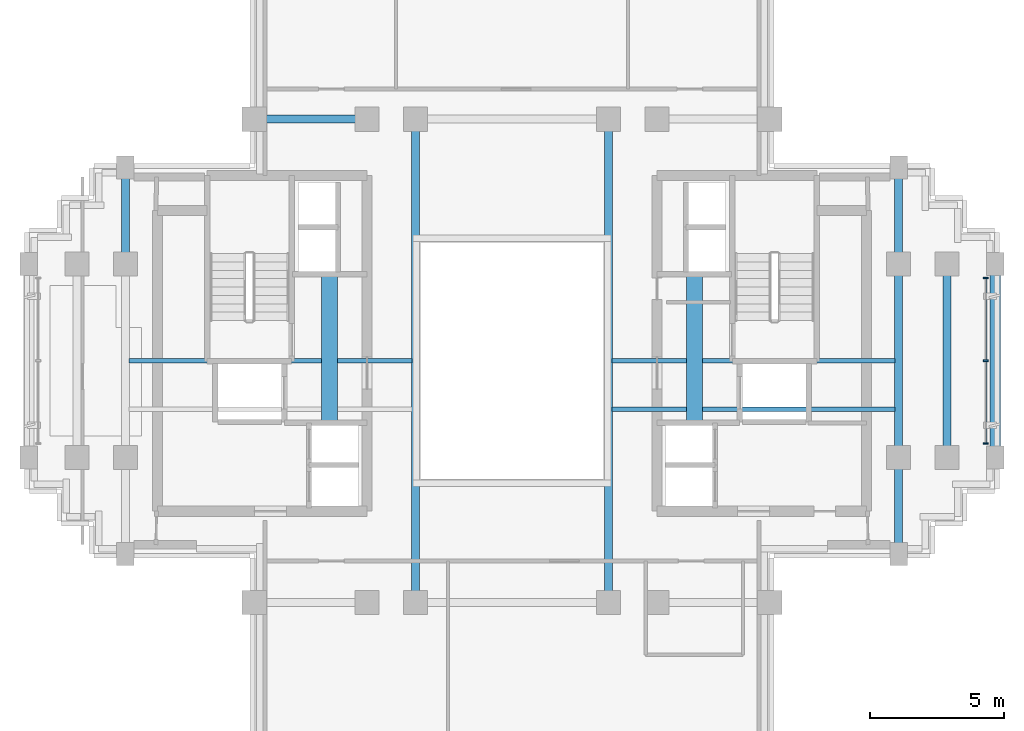
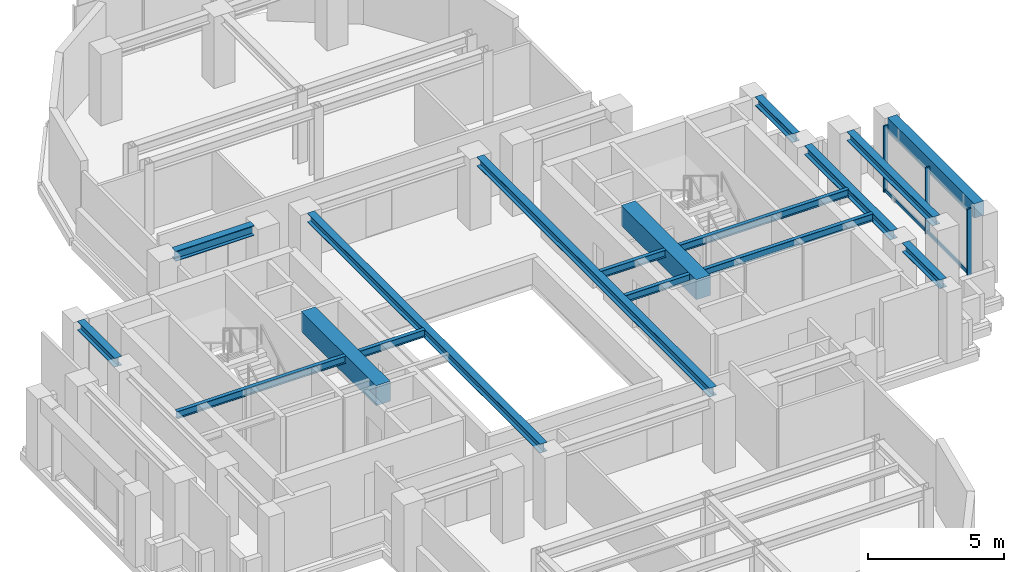
# One storey, part 3 of 11: 14 beams, 5 members, 1 element without a shape of its own.
"""IFC4 building model written with IfcOpenShell, lengths in metres."""

from ifc_helpers import new_model, si_unit, direction, frame, origin, origin_2d, place, context, subcontext, project, spatial, rectangle, i_section, extrude, source, transform, mapped, material, material_profile, profile_set, type_object, element, aggregate, save


model = new_model("IFC4")

# Units and contexts
model_context = context("Model", 3, precision=1e-05, world=origin(), true_north=direction((0.0, 1.0)))
body_context = subcontext(model_context, "Body", "Model", "MODEL_VIEW")
ifc_project = project(units=[si_unit("LENGTHUNIT", "METRE"), si_unit("AREAUNIT", "SQUARE_METRE"), si_unit("VOLUMEUNIT", "CUBIC_METRE"), si_unit("PLANEANGLEUNIT", "RADIAN"), si_unit("MASSUNIT", "GRAM", prefix="KILO")], contexts=[model_context])

# Site, building, storey
site_placement = place(None, origin())
site = spatial("IfcSite", under=ifc_project, at=site_placement, CompositionType="ELEMENT")
building_placement = place(site_placement, origin())
building = spatial("IfcBuilding", under=site, at=building_placement, Name="Keilestroom Media Tower", CompositionType="ELEMENT")
storey_placement = place(building_placement, frame((0.0, 0.0, 170.60009765625)))
storey = spatial("IfcBuildingStorey", under=building, at=storey_placement, Name="L46", CompositionType="ELEMENT", Elevation=170.60009765625)

# Beams
ifc_material_1 = material(Name="Concrete C70/85", Category="concrete")
ifc_material_profile_1 = material_profile(ifc_material_1, rectangle(XDim=0.60009765625, YDim=0.89990234375, at=origin_2d()), Name="RC 600x900")
ifc_profile_set_1 = profile_set([ifc_material_profile_1], Name="Concrete C70/85")
beam_type_1 = type_object("IfcBeamType", Name="Core-Coupling-Lintel-Beam-RC-600x900", PredefinedType="LINTEL", material=ifc_profile_set_1)
shared_shape_1 = source(origin(), body_context, "Body", "SweptSolid", [
    extrude(rectangle(XDim=0.60009765625, YDim=0.89990234375, at=origin_2d()), origin(), (0.0, 0.0, 1.0), 5.52001953125),
])
for number, where, z_axis, x_axis, name in (
    (1, (-6.800048828125, -2.300048828125, 2.75), (0.0, 1.0, 0.0), (-1.0, 0.0, 0.0), "L46 Beam CLB-1 CLB-L46-W"),
    (2, (6.800048828125, -2.300048828125, 2.75), (0.0, 1.0, 0.0), (-1.0, 0.0, 0.0), "L46 Beam CLB-1 CLB-L46-E"),
):
    element("IfcBeam", number, at=place(storey_placement, frame(where, z_axis=z_axis, x_axis=x_axis)), inside=storey, type_object=beam_type_1, Name=name, PredefinedType="LINTEL", context=body_context, shape_type="MappedRepresentation", body=[
        mapped(shared_shape_1, transform((0.0, 0.0, 0.0), x_axis=(1.0, 0.0, 0.0), y_axis=(0.0, 1.0, 0.0), z_axis=(0.0, 0.0, 1.0), scale=1.0)),
    ])
ifc_material_2 = material(Name="Steel S355", Category="steel")
ifc_material_profile_2 = material_profile(ifc_material_2, i_section(OverallWidth=0.300048828125, OverallDepth=0.449951171875, WebThickness=0.011962890625, FlangeThickness=0.02587890625, at=origin_2d()), Name="HEB 450")
ifc_profile_set_2 = profile_set([ifc_material_profile_2], Name="Steel S355")
beam_type_2 = type_object("IfcBeamType", Name="Primary-Structural-Girder-HEB-450", PredefinedType="BEAM", material=ifc_profile_set_2)
shared_shape_2 = source(origin(), body_context, "Body", "SweptSolid", [
    extrude(i_section(OverallWidth=0.300048828125, OverallDepth=0.449951171875, WebThickness=0.011962890625, FlangeThickness=0.02587890625, at=origin_2d()), origin(), (0.0, 0.0, 1.0), 3.33984375),
])
beam_1_placement = place(storey_placement, frame((-9.169921875, 9.0, 2.974853515625), z_axis=(1.0, 0.0, 0.0), x_axis=(0.0, 1.0, 0.0)))
element("IfcBeam", 3, at=beam_1_placement, inside=storey, type_object=beam_type_2, Name="L46 Beam BG-7 BM-L46-EW-020", PredefinedType="BEAM", context=body_context, shape_type="MappedRepresentation", body=[
    mapped(shared_shape_2, transform((0.0, 0.0, 0.0), x_axis=(1.0, 0.0, 0.0), y_axis=(0.0, 1.0, 0.0), z_axis=(0.0, 0.0, 1.0), scale=1.0)),
])
ifc_material_3 = material(Name="Precast concrete C40/50", Category="concrete")
ifc_material_profile_3 = material_profile(ifc_material_3, rectangle(XDim=0.39990234375, YDim=0.64990234375, at=origin_2d()), Name="PC 400x650")
ifc_profile_set_3 = profile_set([ifc_material_profile_3], Name="Precast concrete C40/50")
beam_type_3 = type_object("IfcBeamType", Name="Perimeter-Spandrel-Beam-PC-400x650", PredefinedType="SPANDREL", material=ifc_profile_set_3)
shared_shape_3 = source(origin(), body_context, "Body", "SweptSolid", [
    extrude(rectangle(XDim=0.39990234375, YDim=0.64990234375, at=origin_2d()), origin(), (0.0, 0.0, 1.0), 6.39013671875),
])
beam_2_placement = place(storey_placement, frame((18.0, -3.195068359375, 2.875), z_axis=(0.0, 1.0, 0.0), x_axis=(-1.0, 0.0, 0.0)))
element("IfcBeam", 4, at=beam_2_placement, inside=storey, type_object=beam_type_3, Name="L46 Beam SPB-2 BM-L46-NS-054", PredefinedType="SPANDREL", context=body_context, shape_type="MappedRepresentation", body=[
    mapped(shared_shape_3, transform((0.0, 0.0, 0.0), x_axis=(1.0, 0.0, 0.0), y_axis=(0.0, 1.0, 0.0), z_axis=(0.0, 0.0, 1.0), scale=1.0)),
])
ifc_material_profile_4 = material_profile(ifc_material_2, i_section(OverallWidth=0.300048828125, OverallDepth=0.39990234375, WebThickness=0.011474609375, FlangeThickness=0.02392578125, at=origin_2d()), Name="HEB 400")
ifc_profile_set_4 = profile_set([ifc_material_profile_4], Name="Steel S355")
beam_type_4 = type_object("IfcBeamType", Name="Primary-Structural-Girder-HEB-400", PredefinedType="BEAM", material=ifc_profile_set_4)
shared_shape_4 = source(origin(), body_context, "Body", "SweptSolid", [
    extrude(i_section(OverallWidth=0.300048828125, OverallDepth=0.39990234375, WebThickness=0.011474609375, FlangeThickness=0.02392578125, at=origin_2d()), origin(), (0.0, 0.0, 1.0), 6.33984375),
])
for number, where, z_axis, x_axis, name in (
    (5, (14.39990234375, -3.169921875, 3.0), (0.0, 1.0, 0.0), (-1.0, 0.0, 0.0), "L46 Beam BG-8 BM-L46-NS-051"),
    (6, (16.199951171875, -3.169921875, 3.0), (0.0, 1.0, 0.0), (-1.0, 0.0, 0.0), "L46 Beam BG-8 BM-L46-NS-053"),
):
    element("IfcBeam", number, at=place(storey_placement, frame(where, z_axis=z_axis, x_axis=x_axis)), inside=storey, type_object=beam_type_4, Name=name, PredefinedType="BEAM", context=body_context, shape_type="MappedRepresentation", body=[
        mapped(shared_shape_4, transform((0.0, 0.0, 0.0), x_axis=(1.0, 0.0, 0.0), y_axis=(0.0, 1.0, 0.0), z_axis=(0.0, 0.0, 1.0), scale=1.0)),
    ])
shared_shape_5 = source(origin(), body_context, "Body", "SweptSolid", [
    extrude(i_section(OverallWidth=0.300048828125, OverallDepth=0.39990234375, WebThickness=0.011474609375, FlangeThickness=0.02392578125, at=origin_2d()), origin(), (0.0, 0.0, 1.0), 2.764892578125),
])
for number, where, z_axis, x_axis, name in (
    (7, (-14.39990234375, 4.030029296875, 3.0), (0.0, 1.0, 0.0), (-1.0, 0.0, 0.0), "L46 Beam BG-8 BM-L46-NS-035"),
    (8, (14.39990234375, -6.794921875, 3.0), (0.0, 1.0, 0.0), (-1.0, 0.0, 0.0), "L46 Beam BG-8 BM-L46-NS-050"),
    (9, (14.39990234375, 4.030029296875, 3.0), (0.0, 1.0, 0.0), (-1.0, 0.0, 0.0), "L46 Beam BG-8 BM-L46-NS-052"),
):
    element("IfcBeam", number, at=place(storey_placement, frame(where, z_axis=z_axis, x_axis=x_axis)), inside=storey, type_object=beam_type_4, Name=name, PredefinedType="BEAM", context=body_context, shape_type="MappedRepresentation", body=[
        mapped(shared_shape_5, transform((0.0, 0.0, 0.0), x_axis=(1.0, 0.0, 0.0), y_axis=(0.0, 1.0, 0.0), z_axis=(0.0, 0.0, 1.0), scale=1.0)),
    ])
shared_shape_6 = source(origin(), body_context, "Body", "SweptSolid", [
    extrude(i_section(OverallWidth=0.300048828125, OverallDepth=0.39990234375, WebThickness=0.011474609375, FlangeThickness=0.02392578125, at=origin_2d()), origin(), (0.0, 0.0, 1.0), 17.14013671875),
])
for number, where, z_axis, x_axis, name in (
    (10, (-3.60009765625, -8.570068359375, 3.0), (0.0, 1.0, 0.0), (-1.0, 0.0, 0.0), "L46 Beam BG-8 BM-L46-NS-040"),
    (11, (3.60009765625, -8.570068359375, 3.0), (0.0, 1.0, 0.0), (-1.0, 0.0, 0.0), "L46 Beam BG-8 BM-L46-NS-045"),
):
    element("IfcBeam", number, at=place(storey_placement, frame(where, z_axis=z_axis, x_axis=x_axis)), inside=storey, type_object=beam_type_4, Name=name, PredefinedType="BEAM", context=body_context, shape_type="MappedRepresentation", body=[
        mapped(shared_shape_6, transform((0.0, 0.0, 0.0), x_axis=(1.0, 0.0, 0.0), y_axis=(0.0, 1.0, 0.0), z_axis=(0.0, 0.0, 1.0), scale=1.0)),
    ])
ifc_material_profile_5 = material_profile(ifc_material_2, i_section(OverallWidth=0.159912109375, OverallDepth=0.330078125, WebThickness=0.007568359375, FlangeThickness=0.011474609375, at=origin_2d()), Name="IPE 330")
ifc_profile_set_5 = profile_set([ifc_material_profile_5], Name="Steel S355")
beam_type_5 = type_object("IfcBeamType", Name="Secondary-Floor-Joist-IPE-330", PredefinedType="JOIST", material=ifc_profile_set_5)
shared_shape_7 = source(origin(), body_context, "Body", "SweptSolid", [
    extrude(i_section(OverallWidth=0.159912109375, OverallDepth=0.330078125, WebThickness=0.007568359375, FlangeThickness=0.011474609375, at=origin_2d()), origin(), (0.0, 0.0, 1.0), 10.5400390625),
])
for number, where, z_axis, x_axis, name in (
    (12, (3.72998046875, -1.800048828125, 3.034912109375), (1.0, 0.0, 0.0), (0.0, 1.0, 0.0), "L46 Beam BJ-6 JST-L46-059"),
    (13, (-14.27001953125, 0.0, 3.034912109375), (1.0, 0.0, 0.0), (0.0, 1.0, 0.0), "L46 Beam BJ-6 JST-L46-060"),
    (14, (3.72998046875, 0.0, 3.034912109375), (1.0, 0.0, 0.0), (0.0, 1.0, 0.0), "L46 Beam BJ-6 JST-L46-062"),
):
    element("IfcBeam", number, at=place(storey_placement, frame(where, z_axis=z_axis, x_axis=x_axis)), inside=storey, type_object=beam_type_5, Name=name, PredefinedType="JOIST", context=body_context, shape_type="MappedRepresentation", body=[
        mapped(shared_shape_7, transform((0.0, 0.0, 0.0), x_axis=(1.0, 0.0, 0.0), y_axis=(0.0, 1.0, 0.0), z_axis=(0.0, 0.0, 1.0), scale=1.0)),
    ])

# Curtain wall, members
ifc_material_4 = material(Name="Anodised Aluminium Alloy", Category="aluminium")
curtain_wall_type = type_object("IfcCurtainWallType", Name="Unitised-Curtain-Wall-CW-3", PredefinedType="NOTDEFINED", material=ifc_material_4)
curtain_wall_placement = place(storey_placement, origin())
curtain_wall = element("IfcCurtainWall", 15, at=curtain_wall_placement, inside=storey, type_object=curtain_wall_type, Name="L46 Curtain Wall CW-3 CW-L46-E-1", PredefinedType="NOTDEFINED")
ifc_material_profile_6 = material_profile(ifc_material_4, rectangle(XDim=0.06494140625, YDim=0.179931640625, at=origin_2d()), Name="ALU MULLION 65x180")
ifc_profile_set_6 = profile_set([ifc_material_profile_6], Name="Anodised Aluminium Alloy")
member_type_1 = type_object("IfcMemberType", Name="Curtain-Wall-Mullion-CW-3", PredefinedType="MULLION", material=ifc_profile_set_6)
shared_shape_8 = source(origin(), body_context, "Body", "SweptSolid", [
    extrude(rectangle(XDim=0.06494140625, YDim=0.179931640625, at=origin_2d()), origin(), (0.0, 0.0, 1.0), 2.97998046875),
])
member_1_placement = place(storey_placement, frame((17.64990234375, -3.08251953125, 0.0), z_axis=(0.0, 0.0, 1.0), x_axis=(0.0, 1.0, 0.0)))
member_1 = element("IfcMember", 16, at=member_1_placement, type_object=member_type_1, Name="CW-3 Mullion 00", PredefinedType="MULLION", context=body_context, shape_type="MappedRepresentation", body=[
    mapped(shared_shape_8, transform((0.0, 0.0, 0.0), x_axis=(1.0, 0.0, 0.0), y_axis=(0.0, 1.0, 0.0), z_axis=(0.0, 0.0, 1.0), scale=1.0)),
])
member_2_placement = place(storey_placement, frame((17.64990234375, 0.0, 0.0), z_axis=(0.0, 0.0, 1.0), x_axis=(0.0, 1.0, 0.0)))
member_2 = element("IfcMember", 17, at=member_2_placement, type_object=member_type_1, Name="CW-3 Mullion 01", PredefinedType="MULLION", context=body_context, shape_type="MappedRepresentation", body=[
    mapped(shared_shape_8, transform((0.0, 0.0, 0.0), x_axis=(1.0, 0.0, 0.0), y_axis=(0.0, 1.0, 0.0), z_axis=(0.0, 0.0, 1.0), scale=1.0)),
])
member_3_placement = place(storey_placement, frame((17.64990234375, 3.08251953125, 0.0), z_axis=(0.0, 0.0, 1.0), x_axis=(0.0, 1.0, 0.0)))
member_3 = element("IfcMember", 18, at=member_3_placement, type_object=member_type_1, Name="CW-3 Mullion 02", PredefinedType="MULLION", context=body_context, shape_type="MappedRepresentation", body=[
    mapped(shared_shape_8, transform((0.0, 0.0, 0.0), x_axis=(1.0, 0.0, 0.0), y_axis=(0.0, 1.0, 0.0), z_axis=(0.0, 0.0, 1.0), scale=1.0)),
])
ifc_material_profile_7 = material_profile(ifc_material_4, rectangle(XDim=0.06494140625, YDim=0.14990234375, at=origin_2d()), Name="ALU TRANSOM 65x150")
ifc_profile_set_7 = profile_set([ifc_material_profile_7], Name="Anodised Aluminium Alloy")
member_type_2 = type_object("IfcMemberType", Name="Curtain-Wall-Transom-CW-3", PredefinedType="USERDEFINED", material=ifc_profile_set_7)
shared_shape_9 = source(origin(), body_context, "Body", "SweptSolid", [
    extrude(rectangle(XDim=0.06494140625, YDim=0.14990234375, at=origin_2d()), origin(), (0.0, 0.0, 1.0), 3.021484375),
])
member_4_placement = place(storey_placement, frame((17.64990234375, -3.052001953125, 0.074951171875), z_axis=(0.0, 1.0, 0.0), x_axis=(-1.0, 0.0, 0.0)))
member_4 = element("IfcMember", 19, at=member_4_placement, type_object=member_type_2, Name="CW-3 Transom 00.1", ObjectType="TRANSOM", PredefinedType="USERDEFINED", context=body_context, shape_type="MappedRepresentation", body=[
    mapped(shared_shape_9, transform((0.0, 0.0, 0.0), x_axis=(1.0, 0.0, 0.0), y_axis=(0.0, 1.0, 0.0), z_axis=(0.0, 0.0, 1.0), scale=1.0)),
])
member_5_placement = place(storey_placement, frame((17.64990234375, 0.030517578125, 0.074951171875), z_axis=(0.0, 1.0, 0.0), x_axis=(-1.0, 0.0, 0.0)))
member_5 = element("IfcMember", 20, at=member_5_placement, type_object=member_type_2, Name="CW-3 Transom 01.1", ObjectType="TRANSOM", PredefinedType="USERDEFINED", context=body_context, shape_type="MappedRepresentation", body=[
    mapped(shared_shape_9, transform((0.0, 0.0, 0.0), x_axis=(1.0, 0.0, 0.0), y_axis=(0.0, 1.0, 0.0), z_axis=(0.0, 0.0, 1.0), scale=1.0)),
])
aggregate(curtain_wall, [member_1, member_2, member_3, member_4, member_5])

save(model, "model.ifc")
